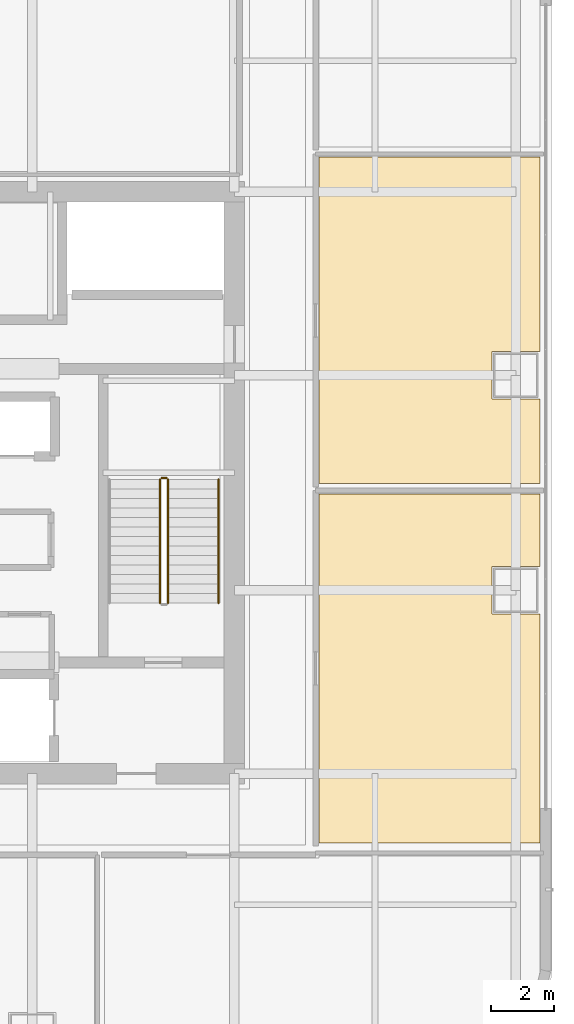
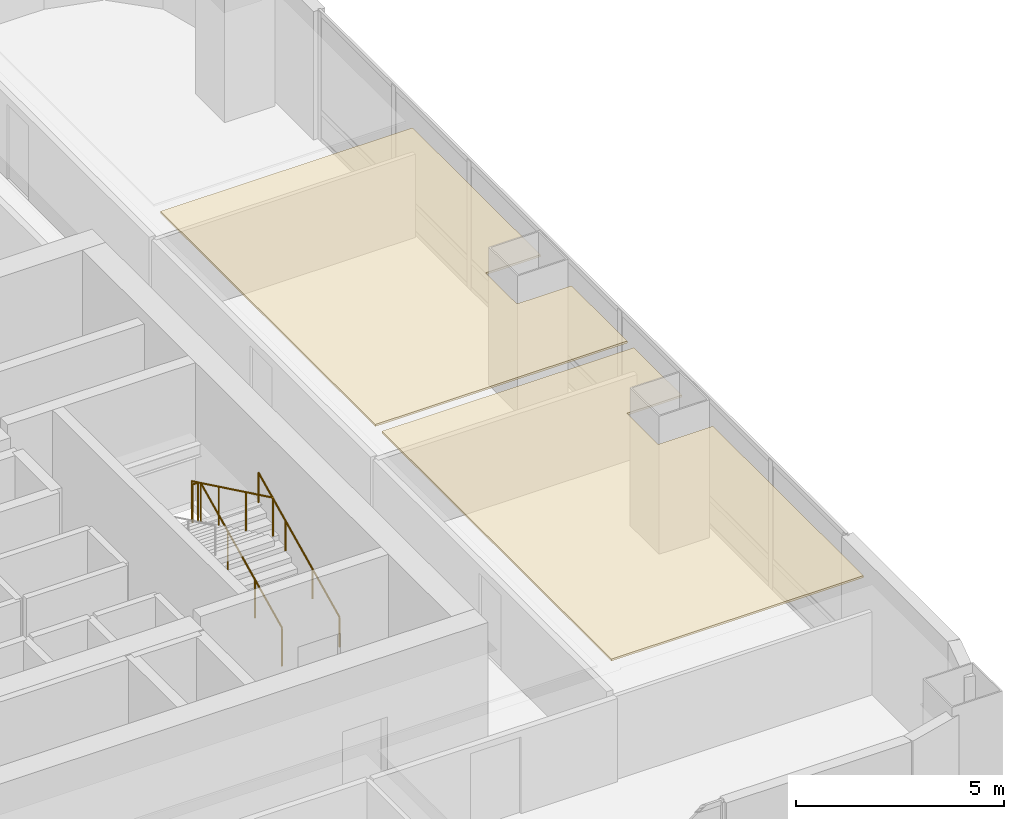
# One storey, part 44 of 47: 4 railings, 2 coverings.
"""IFC4 building model written with IfcOpenShell, lengths in metres."""

import ifcopenshell
import ifcopenshell.guid

model = None  # the IFC model being written
_history = None  # IfcOwnerHistory: only IFC2X3 demands one
_inside = {}  # id of a spatial element -> (the spatial element, [elements in it])
_under = {}  # id of a project, library or spatial element -> (it, [spatial elements below it])
_declared = {}  # id of a project -> (the project, [libraries it declares])
_typed = {}  # id of a type object -> (the type object, [elements of that type])
_made_of = {}  # id of a material, layer set ... -> (it, [elements and type objects made of it])


def new_model(schema):
    """Start an empty IFC model of exactly this schema.

    Asked for "IFC4X3", IfcOpenShell would pick the latest addendum, in which some entities
    have other attributes; the version numbers below select the first issue.
    IFC2X3 requires an IfcOwnerHistory on every rooted entity: one is made here for all.
    """
    global model, _history
    if schema == "IFC4X3":
        model = ifcopenshell.file(schema_version=(4, 3, 0, 0))
    else:
        model = ifcopenshell.file(schema=schema)
    _inside.clear()
    _under.clear()
    _declared.clear()
    _typed.clear()
    _made_of.clear()
    _history = None
    if model.schema == "IFC2X3":
        org = make("IfcOrganization", Name="unknown")
        user = make(
            "IfcPersonAndOrganization",
            ThePerson=make("IfcPerson", FamilyName="unknown"),
            TheOrganization=org,
        )
        app = make(
            "IfcApplication",
            ApplicationDeveloper=org,
            Version="unknown",
            ApplicationFullName="unknown",
            ApplicationIdentifier="unknown",
        )
        _history = make(
            "IfcOwnerHistory",
            OwningUser=user,
            OwningApplication=app,
            ChangeAction="ADDED",
            CreationDate=0,
        )
    return model


def make(cls, **values):
    """One entity of the class cls with the attributes given. An attribute that is None is left unset."""
    return model.create_entity(
        cls, **{name: value for name, value in values.items() if value is not None}
    )


def rooted(cls, **values):
    """An entity with a GlobalId (a new one), such as an element, a storey or a relation."""
    return make(cls, GlobalId=ifcopenshell.guid.new(), OwnerHistory=_history, **values)


def si_unit(unit_type, name, prefix=None):
    """IfcSIUnit, for example si_unit("LENGTHUNIT", "METRE", prefix="MILLI")."""
    return make("IfcSIUnit", UnitType=unit_type, Prefix=prefix, Name=name)


def assignment(units):
    """IfcUnitAssignment: the units of a project."""
    return None if units is None else make("IfcUnitAssignment", Units=units)


def point(xyz):
    """IfcCartesianPoint."""
    return None if xyz is None else make("IfcCartesianPoint", Coordinates=xyz)


def direction(xyz):
    """IfcDirection."""
    return None if xyz is None else make("IfcDirection", DirectionRatios=xyz)


def frame(location, z_axis=None, x_axis=None):
    """IfcAxis2Placement3D, a coordinate frame: its origin and axes. An axis left out is left unset."""
    return make(
        "IfcAxis2Placement3D",
        Location=point(location),
        Axis=direction(z_axis),
        RefDirection=direction(x_axis),
    )


def frame_2d(location, x_axis=None):
    """IfcAxis2Placement2D, a coordinate frame in the plane: its origin and x axis."""
    return make(
        "IfcAxis2Placement2D", Location=point(location), RefDirection=direction(x_axis)
    )


def origin():
    """The frame at (0, 0, 0) with its axes left unset."""
    return frame((0.0, 0.0, 0.0))


def origin_2d():
    """The frame at (0, 0) in the plane with its x axis left unset."""
    return frame_2d((0.0, 0.0))


def place(relative_to, where):
    """IfcLocalPlacement: puts the frame where relative to a parent placement (None: the world)."""
    return make(
        "IfcLocalPlacement", PlacementRelTo=relative_to, RelativePlacement=where
    )


def context(
    kind, dimensions, precision=None, world=None, true_north=None, identifier=None
):
    """IfcGeometricRepresentationContext, for example the 3D "Model" context."""
    return make(
        "IfcGeometricRepresentationContext",
        ContextIdentifier=identifier,
        ContextType=kind,
        CoordinateSpaceDimension=dimensions,
        Precision=precision,
        WorldCoordinateSystem=world,
        TrueNorth=true_north,
    )


def subcontext(parent, identifier, kind, view, scale=None):
    """IfcGeometricRepresentationSubContext, for example "Body" below "Model"."""
    return make(
        "IfcGeometricRepresentationSubContext",
        ContextIdentifier=identifier,
        ContextType=kind,
        ParentContext=parent,
        TargetScale=scale,
        TargetView=view,
    )


def project(units=None, contexts=None):
    """IfcProject with its units and contexts."""
    return rooted(
        "IfcProject",
        Name="project",
        RepresentationContexts=contexts,
        UnitsInContext=assignment(units),
    )


def spatial(cls, under=None, at=None, **own):
    """A site, building, storey or space (cls), placed at a placement, below another one or the project."""
    s = rooted(cls, ObjectPlacement=at, **own)
    if under is not None:
        _under.setdefault(under.id(), (under, []))[1].append(s)
    return s


def polyline(points):
    """IfcPolyline through the points."""
    return make("IfcPolyline", Points=[point(p) for p in points])


def profile(cls, at=None, kind="AREA", **sizes):
    """A parametric profile (cls). Its sizes go by their IFC names, for example OverallWidth=200.0."""
    return make(cls, ProfileType=kind, Position=at, **sizes)


def circle(**sizes):
    """IfcCircleProfileDef."""
    return profile("IfcCircleProfileDef", **sizes)


def outline(outer, holes=None, kind="AREA"):
    """IfcArbitraryClosedProfileDef: a profile drawn as a closed curve; with holes, ...WithVoids."""
    if holes is None:
        return make("IfcArbitraryClosedProfileDef", ProfileType=kind, OuterCurve=outer)
    return make(
        "IfcArbitraryProfileDefWithVoids",
        ProfileType=kind,
        OuterCurve=outer,
        InnerCurves=holes,
    )


def extrude(swept, where, along, depth):
    """IfcExtrudedAreaSolid: the profile swept, set in the frame where, extruded along a direction by depth."""
    return make(
        "IfcExtrudedAreaSolid",
        SweptArea=swept,
        Position=where,
        ExtrudedDirection=direction(along),
        Depth=depth,
    )


def shape(context_of_items, identifier, shape_type, items):
    """IfcShapeRepresentation: the items that make up one representation, for example the "Body"."""
    return make(
        "IfcShapeRepresentation",
        ContextOfItems=context_of_items,
        RepresentationIdentifier=identifier,
        RepresentationType=shape_type,
        Items=items,
    )


def material(Name=None, Category=None):
    """IfcMaterial."""
    return make("IfcMaterial", Name=Name, Category=Category)


def layer(
    of_material, thickness, ventilated=None, Name=None, Category=None, Priority=None
):
    """IfcMaterialLayer: one layer of a wall or slab, of a material (None: an air gap)."""
    return make(
        "IfcMaterialLayer",
        Material=of_material,
        LayerThickness=thickness,
        IsVentilated=ventilated,
        Name=Name,
        Category=Category,
        Priority=Priority,
    )


def layer_set(layers, Name=None):
    """IfcMaterialLayerSet."""
    return make("IfcMaterialLayerSet", MaterialLayers=layers, LayerSetName=Name)


def made_of(thing, what):
    """Note that an element or type object is made of a material, layer set ...; save() writes the relation."""
    if what is not None:
        _made_of.setdefault(what.id(), (what, []))[1].append(thing)
    return thing


def type_object(cls, material=None, **own):
    """A type object (cls), such as IfcWallType, which elements share."""
    return made_of(rooted(cls, **own), material)


def element(
    cls,
    number,
    at=None,
    inside=None,
    cuts=None,
    type_object=None,
    material=None,
    context=None,
    identifier="Body",
    shape_type=None,
    held_by="IfcProductDefinitionShape",
    body=None,
    shapes=None,
    **own,
):
    """One element of the class cls, such as IfcWall. Its Tag is "e" and its number.

    at: its placement. inside: the storey or other place that contains it. cuts: it is an
    opening in that element (IfcRelVoidsElement). A single representation is given by context,
    identifier, shape_type and body (its items); several are given by shapes. held_by: the class
    of the entity that holds the representations. save() writes the other relations.
    """
    e = rooted(cls, Tag="e%d" % number, ObjectPlacement=at, **own)
    if body is not None:
        shapes = [shape(context, identifier, shape_type, body)]
    if shapes is not None:
        e.Representation = make(held_by, Representations=shapes)
    if inside is not None:
        _inside.setdefault(inside.id(), (inside, []))[1].append(e)
    if cuts is not None:
        rooted(
            "IfcRelVoidsElement", RelatingBuildingElement=cuts, RelatedOpeningElement=e
        )
    if type_object is not None:
        _typed.setdefault(type_object.id(), (type_object, []))[1].append(e)
    return made_of(e, material)


def aggregate(whole, parts):
    """IfcRelAggregates: a whole, such as a stair, and the parts it consists of."""
    return rooted("IfcRelAggregates", RelatingObject=whole, RelatedObjects=parts)


def save(model, path):
    """Write the relations noted so far, then the file.

    IfcRelAggregates (storeys below a building ...), IfcRelContainedInSpatialStructure (elements
    in a storey), IfcRelDefinesByType, IfcRelAssociatesMaterial and IfcRelDeclares: one each for
    every whole, place, type object, material and project.
    """
    for whole, parts in _under.values():
        aggregate(whole, parts)
    for where, things in _inside.values():
        rooted(
            "IfcRelContainedInSpatialStructure",
            RelatedElements=things,
            RelatingStructure=where,
        )
    for kind, things in _typed.values():
        rooted("IfcRelDefinesByType", RelatedObjects=things, RelatingType=kind)
    for what, things in _made_of.values():
        rooted("IfcRelAssociatesMaterial", RelatedObjects=things, RelatingMaterial=what)
    for by, libraries in _declared.values():
        rooted("IfcRelDeclares", RelatingContext=by, RelatedDefinitions=libraries)
    model.write(path)


model = new_model("IFC4")

# Units and contexts
model_context = context("Model", 3, precision=1e-05, world=origin(), true_north=direction((0.0, 1.0)))
body_context = subcontext(model_context, "Body", "Model", "MODEL_VIEW")
ifc_project = project(units=[si_unit("LENGTHUNIT", "METRE"), si_unit("AREAUNIT", "SQUARE_METRE"), si_unit("VOLUMEUNIT", "CUBIC_METRE"), si_unit("PLANEANGLEUNIT", "RADIAN"), si_unit("MASSUNIT", "GRAM", prefix="KILO")], contexts=[model_context])

# Site, building, storey
site_placement = place(None, origin())
site = spatial("IfcSite", under=ifc_project, at=site_placement, CompositionType="ELEMENT")
building_placement = place(site_placement, origin())
building = spatial("IfcBuilding", under=site, at=building_placement, Name="Punatoya Terracotta Tower", CompositionType="ELEMENT")
storey_placement = place(building_placement, frame((0.0, 0.0, 168.14990234375)))
storey = spatial("IfcBuildingStorey", under=building, at=storey_placement, Name="L39", CompositionType="ELEMENT", Elevation=168.14990234375)

# Coverings
ifc_material_1 = material(Name="Acoustic Mineral Fibre Ceiling")
ifc_layer = layer(ifc_material_1, 0.06005859375)
ifc_layer_set = layer_set([ifc_layer], Name="Acoustic Mineral Fibre Ceiling")
covering_type = type_object("IfcCoveringType", Name="COV-CEIL-60", PredefinedType="CEILING", material=ifc_layer_set)
covering_1_placement = place(storey_placement, frame((0.0, 0.0, 3.22021484375)))
element("IfcCovering", 1, at=covering_1_placement, inside=storey, type_object=covering_type, Name="L39 Open-Plan Nutrition Tea Pantry Acoustic Ceiling", PredefinedType="CEILING", context=body_context, shape_type="SweptSolid", body=[
    extrude(outline(polyline([(18.35009765625, -4.14990234375), (18.35009765625, -2.64990234375), (19.8701171875, -2.64990234375), (19.8701171875, -0.35009765625), (12.8701171875, -0.35009765625), (12.8701171875, -11.389892578125), (19.8701171875, -11.389892578125), (19.8701171875, -4.14990234375), (18.35009765625, -4.14990234375)])), origin(), (0.0, 0.0, 1.0), 0.059814453125),
])
covering_2_placement = place(storey_placement, frame((0.0, 0.0, 3.22021484375)))
element("IfcCovering", 2, at=covering_2_placement, inside=storey, type_object=covering_type, Name="L39 Open-Plan Cultural Reading Library Acoustic Ceiling", PredefinedType="CEILING", context=body_context, shape_type="SweptSolid", body=[
    extrude(outline(polyline([(18.35009765625, 4.14990234375), (19.8701171875, 4.14990234375), (19.8701171875, 10.300048828125), (12.8701171875, 10.300048828125), (12.8701171875, -0.030029296875), (19.8701171875, -0.030029296875), (19.8701171875, 2.64990234375), (18.35009765625, 2.64990234375), (18.35009765625, 4.14990234375)])), origin(), (0.0, 0.0, 1.0), 0.059814453125),
])

# Railings
ifc_material_2 = material(Name="Steel S355", Category="steel")
railing_type_1 = type_object("IfcRailingType", Name="RLG-GRD-1150", PredefinedType="GUARDRAIL", material=ifc_material_2)
railing_1_placement = place(storey_placement, frame((8.10009765625, -3.800048828125, 0.144775390625)))
element("IfcRailing", 3, at=railing_1_placement, inside=storey, type_object=railing_type_1, Name="L39 ST-2 stair guard 1", PredefinedType="GUARDRAIL", context=body_context, shape_type="SweptSolid", body=[
    extrude(circle(Radius=0.02392578125, at=origin_2d()), frame((0.0, 0.0, 1.1259765625), z_axis=(0.0, 0.900773802044, 0.434288564841), x_axis=(-1.0, 0.0, 0.0)), (0.0, 0.0, 1.0), 4.329833984375),
    extrude(circle(Radius=0.02099609375, at=origin_2d()), origin(), (0.0, 0.0, 1.0), 1.101806640625),
    extrude(circle(Radius=0.02099609375, at=origin_2d()), frame((0.0, 1.300048828125, 0.626708984375)), (0.0, 0.0, 1.0), 1.101806640625),
    extrude(circle(Radius=0.02099609375, at=origin_2d()), frame((0.0, 2.60009765625, 1.253662109375)), (0.0, 0.0, 1.0), 1.101806640625),
    extrude(circle(Radius=0.02099609375, at=origin_2d()), frame((0.0, 3.900146484375, 1.88037109375)), (0.0, 0.0, 1.0), 1.101806640625),
])
railing_2_placement = place(storey_placement, frame((8.050048828125, 0.14990234375, 2.025146484375)))
element("IfcRailing", 4, at=railing_2_placement, inside=storey, type_object=railing_type_1, Name="L39 ST-2 stair guard 2", PredefinedType="GUARDRAIL", context=body_context, shape_type="SweptSolid", body=[
    extrude(circle(Radius=0.02392578125, at=origin_2d()), frame((0.0, 0.0, 1.1259765625), z_axis=(-1.0, 0.0, 0.0), x_axis=(0.0, -1.0, 0.0)), (0.0, 0.0, 1.0), 0.150146484375),
    extrude(circle(Radius=0.02099609375, at=origin_2d()), origin(), (0.0, 0.0, 1.0), 1.101806640625),
    extrude(circle(Radius=0.02099609375, at=origin_2d()), frame((-0.150146484375, 0.0, 0.0)), (0.0, 0.0, 1.0), 1.101806640625),
])
railing_3_placement = place(storey_placement, frame((7.85009765625, 0.10009765625, 2.169677734375)))
element("IfcRailing", 5, at=railing_3_placement, inside=storey, type_object=railing_type_1, Name="L39 ST-2 stair guard 3", PredefinedType="GUARDRAIL", context=body_context, shape_type="SweptSolid", body=[
    extrude(circle(Radius=0.02392578125, at=origin_2d()), frame((0.0, 0.0, 1.1259765625), z_axis=(0.0, -0.900773802044, 0.434288564841), x_axis=(1.0, 0.0, 0.0)), (0.0, 0.0, 1.0), 4.329833984375),
    extrude(circle(Radius=0.02099609375, at=origin_2d()), origin(), (0.0, 0.0, 1.0), 1.101806640625),
    extrude(circle(Radius=0.02099609375, at=origin_2d()), frame((0.0, -1.300048828125, 0.626708984375)), (0.0, 0.0, 1.0), 1.101806640625),
    extrude(circle(Radius=0.02099609375, at=origin_2d()), frame((0.0, -2.60009765625, 1.253662109375)), (0.0, 0.0, 1.0), 1.101806640625),
    extrude(circle(Radius=0.02099609375, at=origin_2d()), frame((0.0, -3.900146484375, 1.88037109375)), (0.0, 0.0, 1.0), 1.101806640625),
])
railing_type_2 = type_object("IfcRailingType", Name="RLG-HND-900", PredefinedType="HANDRAIL", material=ifc_material_2)
railing_4_placement = place(storey_placement, frame((9.699951171875, -3.800048828125, 0.144775390625)))
element("IfcRailing", 6, at=railing_4_placement, inside=storey, type_object=railing_type_2, Name="L39 ST-2 stair handrail 1", PredefinedType="HANDRAIL", context=body_context, shape_type="SweptSolid", body=[
    extrude(circle(Radius=0.02392578125, at=origin_2d()), frame((0.0, 0.0, 0.8759765625), z_axis=(0.0, 0.900773802044, 0.434288564841), x_axis=(-1.0, 0.0, 0.0)), (0.0, 0.0, 1.0), 4.329833984375),
    extrude(circle(Radius=0.02099609375, at=origin_2d()), origin(), (0.0, 0.0, 1.0), 0.851806640625),
    extrude(circle(Radius=0.02099609375, at=origin_2d()), frame((0.0, 1.300048828125, 0.626708984375)), (0.0, 0.0, 1.0), 0.851806640625),
    extrude(circle(Radius=0.02099609375, at=origin_2d()), frame((0.0, 2.60009765625, 1.253662109375)), (0.0, 0.0, 1.0), 0.851806640625),
    extrude(circle(Radius=0.02099609375, at=origin_2d()), frame((0.0, 3.900146484375, 1.88037109375)), (0.0, 0.0, 1.0), 0.851806640625),
])

save(model, "model.ifc")
